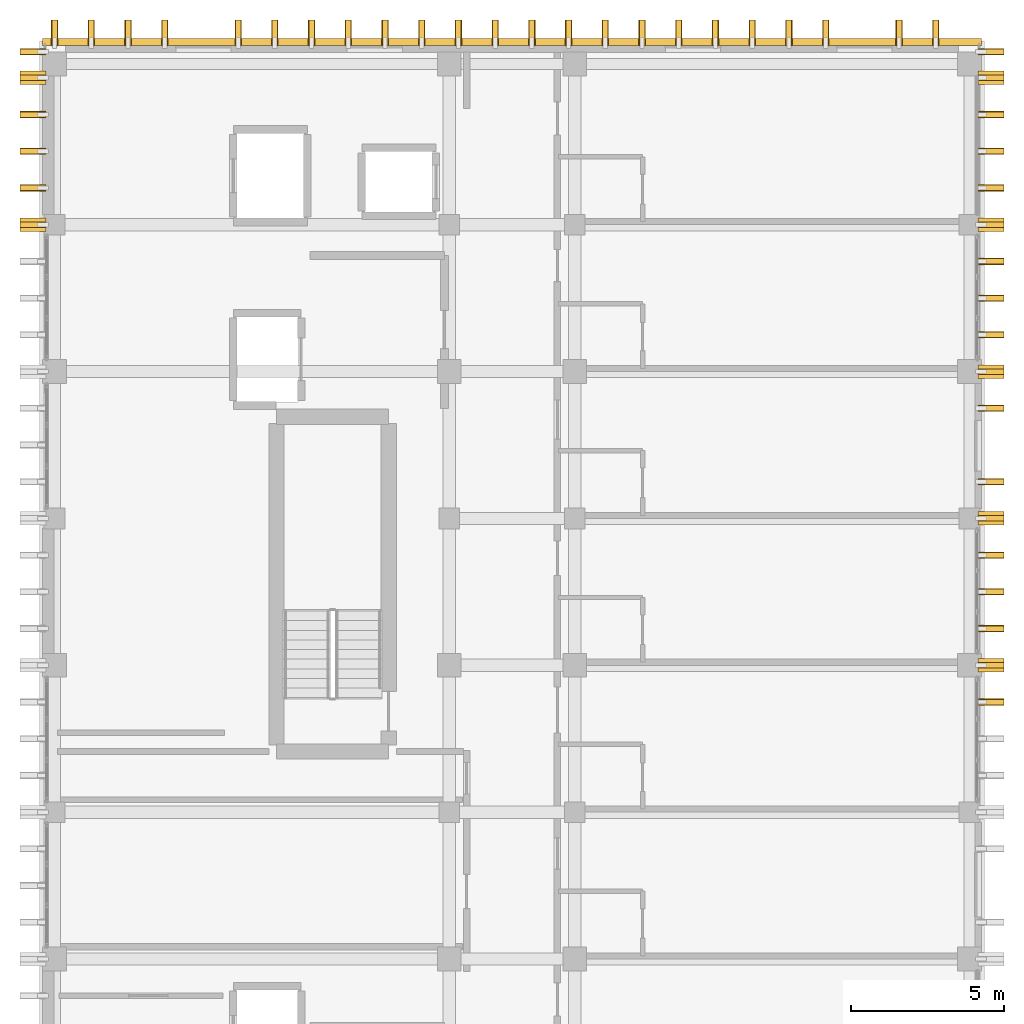
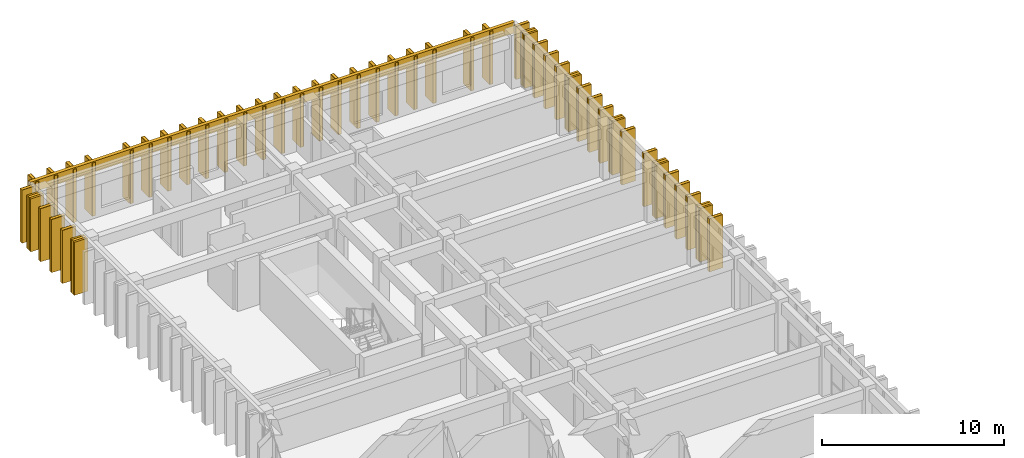
# One storey, part 68 of 68: 48 coverings, 47 shading devices.
"""IFC4 building model written with IfcOpenShell, lengths in metres."""

from ifc_helpers import new_model, si_unit, direction, frame, origin, origin_2d, place, context, subcontext, project, spatial, rectangle, extrude, material, layer, layer_set, type_object, element, save


model = new_model("IFC4")

# Units and contexts
model_context = context("Model", 3, precision=1e-05, world=origin(), true_north=direction((0.0, 1.0)))
body_context = subcontext(model_context, "Body", "Model", "MODEL_VIEW")
ifc_project = project(units=[si_unit("LENGTHUNIT", "METRE"), si_unit("AREAUNIT", "SQUARE_METRE"), si_unit("VOLUMEUNIT", "CUBIC_METRE"), si_unit("PLANEANGLEUNIT", "RADIAN"), si_unit("MASSUNIT", "GRAM", prefix="KILO")], contexts=[model_context])

# Site, building, storey
site_placement = place(None, origin())
site = spatial("IfcSite", under=ifc_project, at=site_placement, CompositionType="ELEMENT")
building_placement = place(site_placement, origin())
building = spatial("IfcBuilding", under=site, at=building_placement, Name="Nakhvara Creek Congress Hotel", CompositionType="ELEMENT")
storey_placement = place(building_placement, frame((0.0, 0.0, 24.60009765625)))
storey = spatial("IfcBuildingStorey", under=building, at=storey_placement, Name="L05", CompositionType="ELEMENT", Elevation=24.60009765625)

# Coverings
ifc_material_1 = material(Name="Honed pale Omani limestone architectural cladding", Category="masonry")
ifc_layer_1 = layer(ifc_material_1, 0.219970703125)
ifc_layer_set_1 = layer_set([ifc_layer_1], Name="Honed pale Omani limestone architectural cladding")
covering_type_1 = type_object("IfcCoveringType", Name="COV-FIN-850", PredefinedType="CLADDING", material=ifc_layer_set_1)
covering_1_placement = place(storey_placement, frame((180.054931640625, 104.39990234375, -0.000244140625), z_axis=(0.0, 0.0, 1.0), x_axis=(0.0, 1.0, 0.0)))
element("IfcCovering", 1, at=covering_1_placement, inside=storey, type_object=covering_type_1, Name="Pale Limestone Fin Cladding CF01-1538", PredefinedType="CLADDING", context=body_context, shape_type="SweptSolid", body=[
    extrude(rectangle(XDim=0.219970703125, YDim=0.85009765625, at=origin_2d()), origin(), (0.0, 0.0, 1.0), 3.56005859375),
])
covering_2_placement = place(storey_placement, frame((180.054931640625, 105.60009765625, -0.000244140625), z_axis=(0.0, 0.0, 1.0), x_axis=(0.0, 1.0, 0.0)))
element("IfcCovering", 2, at=covering_2_placement, inside=storey, type_object=covering_type_1, Name="Pale Limestone Fin Cladding CF01-1540", PredefinedType="CLADDING", context=body_context, shape_type="SweptSolid", body=[
    extrude(rectangle(XDim=0.43994140625, YDim=0.85009765625, at=origin_2d()), origin(), (0.0, 0.0, 1.0), 3.56005859375),
])
for number, where, z_axis, x_axis, name in (
    (3, (180.054931640625, 106.800048828125, -0.000244140625), (0.0, 0.0, 1.0), (0.0, 1.0, 0.0), "Pale Limestone Fin Cladding CF01-1542"),
    (4, (180.054931640625, 108.0, -0.000244140625), (0.0, 0.0, 1.0), (0.0, 1.0, 0.0), "Pale Limestone Fin Cladding CF01-1544"),
    (5, (180.054931640625, 109.199951171875, -0.000244140625), (0.0, 0.0, 1.0), (0.0, 1.0, 0.0), "Pale Limestone Fin Cladding CF01-1546"),
):
    element("IfcCovering", number, at=place(storey_placement, frame(where, z_axis=z_axis, x_axis=x_axis)), inside=storey, type_object=covering_type_1, Name=name, PredefinedType="CLADDING", context=body_context, shape_type="SweptSolid", body=[
        extrude(rectangle(XDim=0.219970703125, YDim=0.85009765625, at=origin_2d()), origin(), (0.0, 0.0, 1.0), 3.56005859375),
    ])
covering_3_placement = place(storey_placement, frame((180.054931640625, 110.39990234375, -0.000244140625), z_axis=(0.0, 0.0, 1.0), x_axis=(0.0, 1.0, 0.0)))
element("IfcCovering", 6, at=covering_3_placement, inside=storey, type_object=covering_type_1, Name="Pale Limestone Fin Cladding CF01-1548", PredefinedType="CLADDING", context=body_context, shape_type="SweptSolid", body=[
    extrude(rectangle(XDim=0.43994140625, YDim=0.85009765625, at=origin_2d()), origin(), (0.0, 0.0, 1.0), 3.56005859375),
])
for number, where, z_axis, x_axis, name in (
    (7, (180.054931640625, 111.60009765625, -0.000244140625), (0.0, 0.0, 1.0), (0.0, 1.0, 0.0), "Pale Limestone Fin Cladding CF01-1550"),
    (8, (180.054931640625, 114.0, -0.000244140625), (0.0, 0.0, 1.0), (0.0, 1.0, 0.0), "Pale Limestone Fin Cladding CF01-1553"),
):
    element("IfcCovering", number, at=place(storey_placement, frame(where, z_axis=z_axis, x_axis=x_axis)), inside=storey, type_object=covering_type_1, Name=name, PredefinedType="CLADDING", context=body_context, shape_type="SweptSolid", body=[
        extrude(rectangle(XDim=0.219970703125, YDim=0.85009765625, at=origin_2d()), origin(), (0.0, 0.0, 1.0), 3.56005859375),
    ])
covering_4_placement = place(storey_placement, frame((180.054931640625, 115.199951171875, -0.000244140625), z_axis=(0.0, 0.0, 1.0), x_axis=(0.0, 1.0, 0.0)))
element("IfcCovering", 9, at=covering_4_placement, inside=storey, type_object=covering_type_1, Name="Pale Limestone Fin Cladding CF01-1555", PredefinedType="CLADDING", context=body_context, shape_type="SweptSolid", body=[
    extrude(rectangle(XDim=0.43994140625, YDim=0.85009765625, at=origin_2d()), origin(), (0.0, 0.0, 1.0), 3.56005859375),
])
for number, where, z_axis, x_axis, name in (
    (10, (180.054931640625, 116.39990234375, -0.000244140625), (0.0, 0.0, 1.0), (0.0, 1.0, 0.0), "Pale Limestone Fin Cladding CF01-1557"),
    (11, (180.054931640625, 117.60009765625, -0.000244140625), (0.0, 0.0, 1.0), (0.0, 1.0, 0.0), "Pale Limestone Fin Cladding CF01-1559"),
    (12, (180.054931640625, 118.800048828125, -0.000244140625), (0.0, 0.0, 1.0), (0.0, 1.0, 0.0), "Pale Limestone Fin Cladding CF01-1561"),
):
    element("IfcCovering", number, at=place(storey_placement, frame(where, z_axis=z_axis, x_axis=x_axis)), inside=storey, type_object=covering_type_1, Name=name, PredefinedType="CLADDING", context=body_context, shape_type="SweptSolid", body=[
        extrude(rectangle(XDim=0.219970703125, YDim=0.85009765625, at=origin_2d()), origin(), (0.0, 0.0, 1.0), 3.56005859375),
    ])
for number, where, z_axis, x_axis, name in (
    (13, (180.054931640625, 120.0, -0.000244140625), (0.0, 0.0, 1.0), (0.0, 1.0, 0.0), "Pale Limestone Fin Cladding CF01-1563"),
    (14, (148.7451171875, 120.0, -0.000244140625), (0.0, 0.0, 1.0), (0.0, 1.0, 0.0), "Pale Limestone Fin Cladding CF01-1564"),
):
    element("IfcCovering", number, at=place(storey_placement, frame(where, z_axis=z_axis, x_axis=x_axis)), inside=storey, type_object=covering_type_1, Name=name, PredefinedType="CLADDING", context=body_context, shape_type="SweptSolid", body=[
        extrude(rectangle(XDim=0.43994140625, YDim=0.85009765625, at=origin_2d()), origin(), (0.0, 0.0, 1.0), 3.56005859375),
    ])
for number, where, z_axis, x_axis, name in (
    (15, (180.054931640625, 121.199951171875, -0.000244140625), (0.0, 0.0, 1.0), (0.0, 1.0, 0.0), "Pale Limestone Fin Cladding CF01-1565"),
    (16, (148.7451171875, 121.199951171875, -0.000244140625), (0.0, 0.0, 1.0), (0.0, 1.0, 0.0), "Pale Limestone Fin Cladding CF01-1566"),
    (17, (180.054931640625, 122.39990234375, -0.000244140625), (0.0, 0.0, 1.0), (0.0, 1.0, 0.0), "Pale Limestone Fin Cladding CF01-1567"),
    (18, (148.7451171875, 122.39990234375, -0.000244140625), (0.0, 0.0, 1.0), (0.0, 1.0, 0.0), "Pale Limestone Fin Cladding CF01-1568"),
    (19, (180.054931640625, 123.60009765625, -0.000244140625), (0.0, 0.0, 1.0), (0.0, 1.0, 0.0), "Pale Limestone Fin Cladding CF01-1569"),
    (20, (148.7451171875, 123.60009765625, -0.000244140625), (0.0, 0.0, 1.0), (0.0, 1.0, 0.0), "Pale Limestone Fin Cladding CF01-1570"),
):
    element("IfcCovering", number, at=place(storey_placement, frame(where, z_axis=z_axis, x_axis=x_axis)), inside=storey, type_object=covering_type_1, Name=name, PredefinedType="CLADDING", context=body_context, shape_type="SweptSolid", body=[
        extrude(rectangle(XDim=0.219970703125, YDim=0.85009765625, at=origin_2d()), origin(), (0.0, 0.0, 1.0), 3.56005859375),
    ])
for number, where, z_axis, x_axis, name in (
    (21, (180.054931640625, 124.800048828125, -0.000244140625), (0.0, 0.0, 1.0), (0.0, 1.0, 0.0), "Pale Limestone Fin Cladding CF01-1571"),
    (22, (148.7451171875, 124.800048828125, -0.000244140625), (0.0, 0.0, 1.0), (0.0, 1.0, 0.0), "Pale Limestone Fin Cladding CF01-1572"),
):
    element("IfcCovering", number, at=place(storey_placement, frame(where, z_axis=z_axis, x_axis=x_axis)), inside=storey, type_object=covering_type_1, Name=name, PredefinedType="CLADDING", context=body_context, shape_type="SweptSolid", body=[
        extrude(rectangle(XDim=0.43994140625, YDim=0.85009765625, at=origin_2d()), origin(), (0.0, 0.0, 1.0), 3.56005859375),
    ])
for number, where, z_axis, x_axis, name in (
    (23, (180.054931640625, 125.64990234375, -0.000244140625), (0.0, 0.0, 1.0), (0.0, 1.0, 0.0), "Pale Limestone Fin Cladding CF01-1573"),
    (24, (148.7451171875, 125.64990234375, -0.000244140625), (0.0, 0.0, 1.0), (0.0, 1.0, 0.0), "Pale Limestone Fin Cladding CF01-1574"),
    (25, (149.449951171875, 126.264892578125, -0.000244140625), (0.0, 0.0, 1.0), (1.0, 0.0, 0.0), "Pale Limestone Fin Cladding CF01-1575"),
    (26, (150.64990234375, 126.264892578125, -0.000244140625), (0.0, 0.0, 1.0), (1.0, 0.0, 0.0), "Pale Limestone Fin Cladding CF01-1577"),
    (27, (151.85009765625, 126.264892578125, -0.000244140625), (0.0, 0.0, 1.0), (1.0, 0.0, 0.0), "Pale Limestone Fin Cladding CF01-1579"),
    (28, (153.050048828125, 126.264892578125, -0.000244140625), (0.0, 0.0, 1.0), (1.0, 0.0, 0.0), "Pale Limestone Fin Cladding CF01-1581"),
    (29, (155.449951171875, 126.264892578125, -0.000244140625), (0.0, 0.0, 1.0), (1.0, 0.0, 0.0), "Pale Limestone Fin Cladding CF01-1584"),
    (30, (156.64990234375, 126.264892578125, -0.000244140625), (0.0, 0.0, 1.0), (1.0, 0.0, 0.0), "Pale Limestone Fin Cladding CF01-1586"),
    (31, (157.85009765625, 126.264892578125, -0.000244140625), (0.0, 0.0, 1.0), (1.0, 0.0, 0.0), "Pale Limestone Fin Cladding CF01-1588"),
    (32, (159.050048828125, 126.264892578125, -0.000244140625), (0.0, 0.0, 1.0), (1.0, 0.0, 0.0), "Pale Limestone Fin Cladding CF01-1590"),
    (33, (160.25, 126.264892578125, -0.000244140625), (0.0, 0.0, 1.0), (1.0, 0.0, 0.0), "Pale Limestone Fin Cladding CF01-1592"),
    (34, (161.449951171875, 126.264892578125, -0.000244140625), (0.0, 0.0, 1.0), (1.0, 0.0, 0.0), "Pale Limestone Fin Cladding CF01-1594"),
    (35, (162.64990234375, 126.264892578125, -0.000244140625), (0.0, 0.0, 1.0), (1.0, 0.0, 0.0), "Pale Limestone Fin Cladding CF01-1596"),
    (36, (163.85009765625, 126.264892578125, -0.000244140625), (0.0, 0.0, 1.0), (1.0, 0.0, 0.0), "Pale Limestone Fin Cladding CF01-1598"),
    (37, (165.050048828125, 126.264892578125, -0.000244140625), (0.0, 0.0, 1.0), (1.0, 0.0, 0.0), "Pale Limestone Fin Cladding CF01-1599"),
    (38, (166.25, 126.264892578125, -0.000244140625), (0.0, 0.0, 1.0), (1.0, 0.0, 0.0), "Pale Limestone Fin Cladding CF01-1600"),
    (39, (167.449951171875, 126.264892578125, -0.000244140625), (0.0, 0.0, 1.0), (1.0, 0.0, 0.0), "Pale Limestone Fin Cladding CF01-1602"),
    (40, (168.64990234375, 126.264892578125, -0.000244140625), (0.0, 0.0, 1.0), (1.0, 0.0, 0.0), "Pale Limestone Fin Cladding CF01-1604"),
    (41, (169.85009765625, 126.264892578125, -0.000244140625), (0.0, 0.0, 1.0), (1.0, 0.0, 0.0), "Pale Limestone Fin Cladding CF01-1605"),
    (42, (171.050048828125, 126.264892578125, -0.000244140625), (0.0, 0.0, 1.0), (1.0, 0.0, 0.0), "Pale Limestone Fin Cladding CF01-1607"),
    (43, (172.25, 126.264892578125, -0.000244140625), (0.0, 0.0, 1.0), (1.0, 0.0, 0.0), "Pale Limestone Fin Cladding CF01-1609"),
    (44, (173.449951171875, 126.264892578125, -0.000244140625), (0.0, 0.0, 1.0), (1.0, 0.0, 0.0), "Pale Limestone Fin Cladding CF01-1611"),
    (45, (174.64990234375, 126.264892578125, -0.000244140625), (0.0, 0.0, 1.0), (1.0, 0.0, 0.0), "Pale Limestone Fin Cladding CF01-1613"),
    (46, (177.050048828125, 126.264892578125, -0.000244140625), (0.0, 0.0, 1.0), (1.0, 0.0, 0.0), "Pale Limestone Fin Cladding CF01-1616"),
    (47, (178.25, 126.264892578125, -0.000244140625), (0.0, 0.0, 1.0), (1.0, 0.0, 0.0), "Pale Limestone Fin Cladding CF01-1618"),
):
    element("IfcCovering", number, at=place(storey_placement, frame(where, z_axis=z_axis, x_axis=x_axis)), inside=storey, type_object=covering_type_1, Name=name, PredefinedType="CLADDING", context=body_context, shape_type="SweptSolid", body=[
        extrude(rectangle(XDim=0.219970703125, YDim=0.85009765625, at=origin_2d()), origin(), (0.0, 0.0, 1.0), 3.56005859375),
    ])
ifc_layer_2 = layer(ifc_material_1, 0.179931640625)
ifc_layer_set_2 = layer_set([ifc_layer_2], Name="Honed pale Omani limestone architectural cladding")
covering_type_2 = type_object("IfcCoveringType", Name="COV-SPN-180", PredefinedType="CLADDING", material=ifc_layer_set_2)
covering_5_placement = place(storey_placement, frame((164.39990234375, 125.969970703125, 2.909912109375), z_axis=(0.0, 0.0, 1.0), x_axis=(1.0, 0.0, 0.0)))
element("IfcCovering", 48, at=covering_5_placement, inside=storey, type_object=covering_type_2, Name="Pale Limestone Spandrel Band CF02-0063", PredefinedType="CLADDING", context=body_context, shape_type="SweptSolid", body=[
    extrude(rectangle(XDim=30.699951171875, YDim=0.219970703125, at=origin_2d()), origin(), (0.0, 0.0, 1.0), 0.72998046875),
])

# Shading devices
ifc_material_2 = material(Name="Honed pale Omani limestone cladding on stainless steel spine", Category="masonry")
shading_device_type = type_object("IfcShadingDeviceType", Name="SHD-FIN-850X3600", PredefinedType="USERDEFINED", material=ifc_material_2)
for number, where, z_axis, x_axis, name in (
    (49, (180.054931640625, 104.39990234375, -0.000244140625), (0.0, 0.0, 1.0), (0.0, 1.0, 0.0), "Limestone Solar Fin FN01-1403"),
    (50, (180.054931640625, 105.60009765625, -0.000244140625), (0.0, 0.0, 1.0), (0.0, 1.0, 0.0), "Limestone Solar Fin FN01-1405"),
    (51, (180.054931640625, 106.800048828125, -0.000244140625), (0.0, 0.0, 1.0), (0.0, 1.0, 0.0), "Limestone Solar Fin FN01-1407"),
    (52, (180.054931640625, 108.0, -0.000244140625), (0.0, 0.0, 1.0), (0.0, 1.0, 0.0), "Limestone Solar Fin FN01-1409"),
    (53, (180.054931640625, 109.199951171875, -0.000244140625), (0.0, 0.0, 1.0), (0.0, 1.0, 0.0), "Limestone Solar Fin FN01-1411"),
    (54, (180.054931640625, 110.39990234375, -0.000244140625), (0.0, 0.0, 1.0), (0.0, 1.0, 0.0), "Limestone Solar Fin FN01-1413"),
    (55, (180.054931640625, 111.60009765625, -0.000244140625), (0.0, 0.0, 1.0), (0.0, 1.0, 0.0), "Limestone Solar Fin FN01-1415"),
    (56, (180.054931640625, 114.0, -0.000244140625), (0.0, 0.0, 1.0), (0.0, 1.0, 0.0), "Limestone Solar Fin FN01-1418"),
    (57, (180.054931640625, 115.199951171875, -0.000244140625), (0.0, 0.0, 1.0), (0.0, 1.0, 0.0), "Limestone Solar Fin FN01-1420"),
    (58, (180.054931640625, 116.39990234375, -0.000244140625), (0.0, 0.0, 1.0), (0.0, 1.0, 0.0), "Limestone Solar Fin FN01-1422"),
    (59, (180.054931640625, 117.60009765625, -0.000244140625), (0.0, 0.0, 1.0), (0.0, 1.0, 0.0), "Limestone Solar Fin FN01-1424"),
    (60, (180.054931640625, 118.800048828125, -0.000244140625), (0.0, 0.0, 1.0), (0.0, 1.0, 0.0), "Limestone Solar Fin FN01-1426"),
    (61, (180.054931640625, 120.0, -0.000244140625), (0.0, 0.0, 1.0), (0.0, 1.0, 0.0), "Limestone Solar Fin FN01-1428"),
    (62, (148.7451171875, 120.0, -0.000244140625), (0.0, 0.0, 1.0), (0.0, 1.0, 0.0), "Limestone Solar Fin FN01-1429"),
    (63, (180.054931640625, 121.199951171875, -0.000244140625), (0.0, 0.0, 1.0), (0.0, 1.0, 0.0), "Limestone Solar Fin FN01-1430"),
    (64, (148.7451171875, 121.199951171875, -0.000244140625), (0.0, 0.0, 1.0), (0.0, 1.0, 0.0), "Limestone Solar Fin FN01-1431"),
    (65, (180.054931640625, 122.39990234375, -0.000244140625), (0.0, 0.0, 1.0), (0.0, 1.0, 0.0), "Limestone Solar Fin FN01-1432"),
    (66, (148.7451171875, 122.39990234375, -0.000244140625), (0.0, 0.0, 1.0), (0.0, 1.0, 0.0), "Limestone Solar Fin FN01-1433"),
    (67, (180.054931640625, 123.60009765625, -0.000244140625), (0.0, 0.0, 1.0), (0.0, 1.0, 0.0), "Limestone Solar Fin FN01-1434"),
    (68, (148.7451171875, 123.60009765625, -0.000244140625), (0.0, 0.0, 1.0), (0.0, 1.0, 0.0), "Limestone Solar Fin FN01-1435"),
    (69, (180.054931640625, 124.800048828125, -0.000244140625), (0.0, 0.0, 1.0), (0.0, 1.0, 0.0), "Limestone Solar Fin FN01-1436"),
    (70, (148.7451171875, 124.800048828125, -0.000244140625), (0.0, 0.0, 1.0), (0.0, 1.0, 0.0), "Limestone Solar Fin FN01-1437"),
    (71, (180.054931640625, 125.64990234375, -0.000244140625), (0.0, 0.0, 1.0), (0.0, 1.0, 0.0), "Limestone Solar Fin FN01-1438"),
    (72, (148.7451171875, 125.64990234375, -0.000244140625), (0.0, 0.0, 1.0), (0.0, 1.0, 0.0), "Limestone Solar Fin FN01-1439"),
    (73, (149.449951171875, 126.264892578125, -0.000244140625), (0.0, 0.0, 1.0), (1.0, 0.0, 0.0), "Limestone Solar Fin FN01-1440"),
    (74, (150.64990234375, 126.264892578125, -0.000244140625), (0.0, 0.0, 1.0), (1.0, 0.0, 0.0), "Limestone Solar Fin FN01-1442"),
    (75, (151.85009765625, 126.264892578125, -0.000244140625), (0.0, 0.0, 1.0), (1.0, 0.0, 0.0), "Limestone Solar Fin FN01-1444"),
    (76, (153.050048828125, 126.264892578125, -0.000244140625), (0.0, 0.0, 1.0), (1.0, 0.0, 0.0), "Limestone Solar Fin FN01-1446"),
    (77, (155.449951171875, 126.264892578125, -0.000244140625), (0.0, 0.0, 1.0), (1.0, 0.0, 0.0), "Limestone Solar Fin FN01-1449"),
    (78, (156.64990234375, 126.264892578125, -0.000244140625), (0.0, 0.0, 1.0), (1.0, 0.0, 0.0), "Limestone Solar Fin FN01-1451"),
    (79, (157.85009765625, 126.264892578125, -0.000244140625), (0.0, 0.0, 1.0), (1.0, 0.0, 0.0), "Limestone Solar Fin FN01-1453"),
    (80, (159.050048828125, 126.264892578125, -0.000244140625), (0.0, 0.0, 1.0), (1.0, 0.0, 0.0), "Limestone Solar Fin FN01-1455"),
    (81, (160.25, 126.264892578125, -0.000244140625), (0.0, 0.0, 1.0), (1.0, 0.0, 0.0), "Limestone Solar Fin FN01-1457"),
    (82, (161.449951171875, 126.264892578125, -0.000244140625), (0.0, 0.0, 1.0), (1.0, 0.0, 0.0), "Limestone Solar Fin FN01-1459"),
    (83, (162.64990234375, 126.264892578125, -0.000244140625), (0.0, 0.0, 1.0), (1.0, 0.0, 0.0), "Limestone Solar Fin FN01-1461"),
    (84, (163.85009765625, 126.264892578125, -0.000244140625), (0.0, 0.0, 1.0), (1.0, 0.0, 0.0), "Limestone Solar Fin FN01-1463"),
    (85, (165.050048828125, 126.264892578125, -0.000244140625), (0.0, 0.0, 1.0), (1.0, 0.0, 0.0), "Limestone Solar Fin FN01-1464"),
    (86, (166.25, 126.264892578125, -0.000244140625), (0.0, 0.0, 1.0), (1.0, 0.0, 0.0), "Limestone Solar Fin FN01-1465"),
    (87, (167.449951171875, 126.264892578125, -0.000244140625), (0.0, 0.0, 1.0), (1.0, 0.0, 0.0), "Limestone Solar Fin FN01-1467"),
    (88, (168.64990234375, 126.264892578125, -0.000244140625), (0.0, 0.0, 1.0), (1.0, 0.0, 0.0), "Limestone Solar Fin FN01-1469"),
    (89, (169.85009765625, 126.264892578125, -0.000244140625), (0.0, 0.0, 1.0), (1.0, 0.0, 0.0), "Limestone Solar Fin FN01-1470"),
    (90, (171.050048828125, 126.264892578125, -0.000244140625), (0.0, 0.0, 1.0), (1.0, 0.0, 0.0), "Limestone Solar Fin FN01-1472"),
    (91, (172.25, 126.264892578125, -0.000244140625), (0.0, 0.0, 1.0), (1.0, 0.0, 0.0), "Limestone Solar Fin FN01-1474"),
    (92, (173.449951171875, 126.264892578125, -0.000244140625), (0.0, 0.0, 1.0), (1.0, 0.0, 0.0), "Limestone Solar Fin FN01-1476"),
    (93, (174.64990234375, 126.264892578125, -0.000244140625), (0.0, 0.0, 1.0), (1.0, 0.0, 0.0), "Limestone Solar Fin FN01-1478"),
    (94, (177.050048828125, 126.264892578125, -0.000244140625), (0.0, 0.0, 1.0), (1.0, 0.0, 0.0), "Limestone Solar Fin FN01-1481"),
    (95, (178.25, 126.264892578125, -0.000244140625), (0.0, 0.0, 1.0), (1.0, 0.0, 0.0), "Limestone Solar Fin FN01-1483"),
):
    element("IfcShadingDevice", number, at=place(storey_placement, frame(where, z_axis=z_axis, x_axis=x_axis)), inside=storey, type_object=shading_device_type, Name=name, ObjectType="FIN", PredefinedType="USERDEFINED", context=body_context, shape_type="SweptSolid", body=[
        extrude(rectangle(XDim=0.179931640625, YDim=0.85009765625, at=origin_2d()), origin(), (0.0, 0.0, 1.0), 3.56005859375),
    ])

save(model, "model.ifc")
